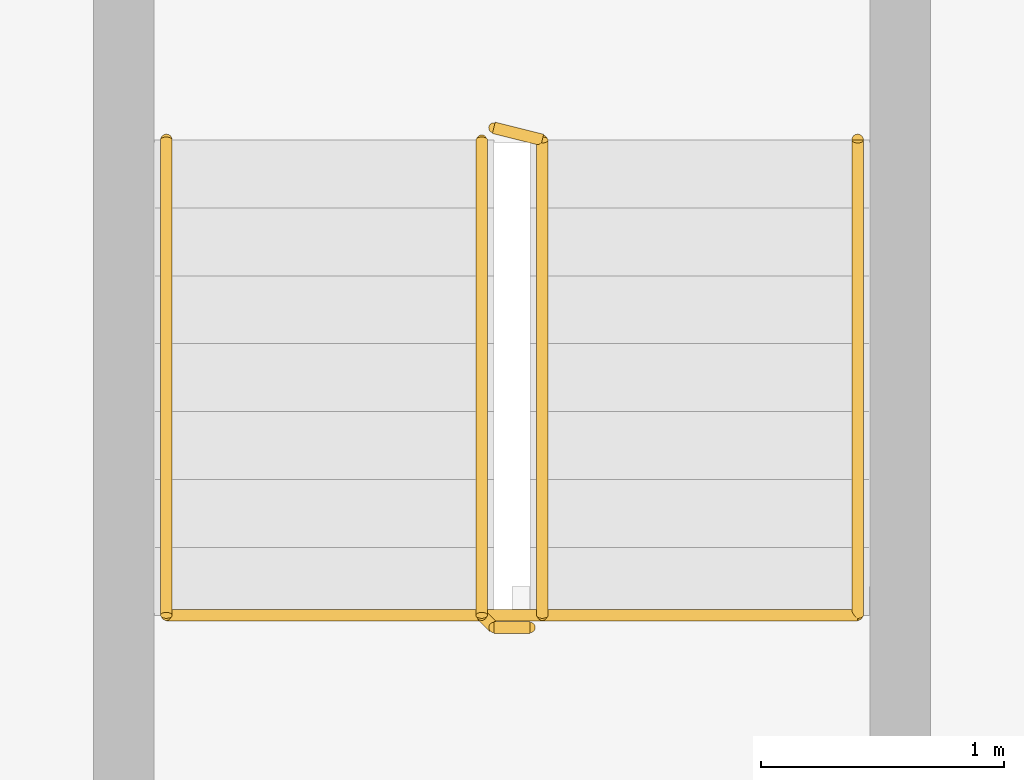
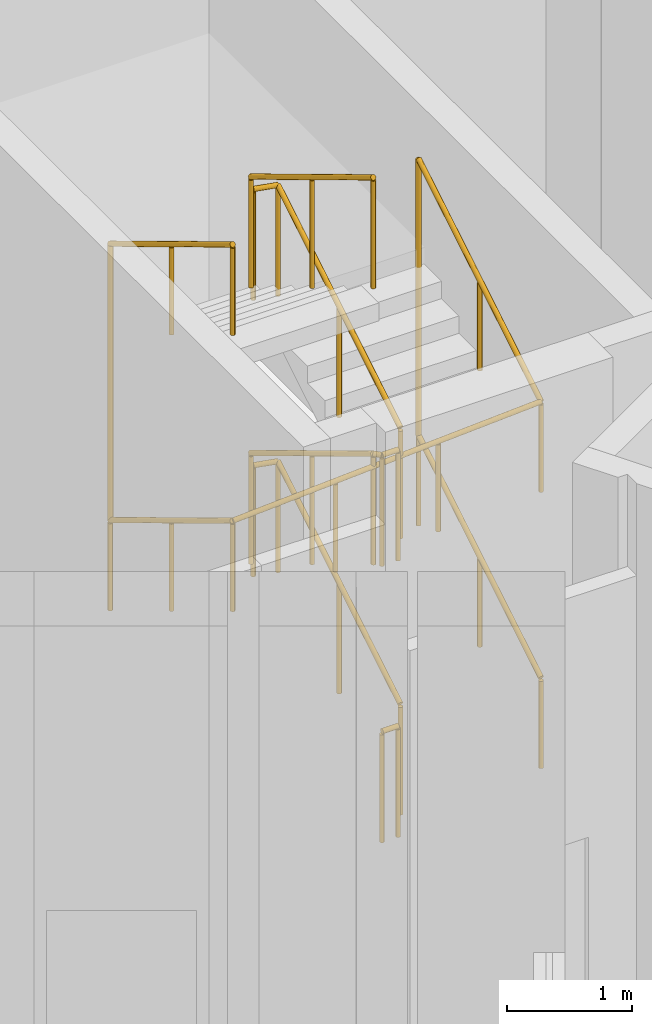
# One storey, part 29 of 35: 6 railings.
"""IFC4 building model written with IfcOpenShell, lengths in metres."""

from ifc_helpers import new_model, si_unit, direction, frame, origin, origin_2d, place, context, subcontext, project, spatial, circle, extrude, material, type_object, element, save


model = new_model("IFC4")

# Units and contexts
model_context = context("Model", 3, precision=1e-05, world=origin(), true_north=direction((0.0, 1.0)))
body_context = subcontext(model_context, "Body", "Model", "MODEL_VIEW")
ifc_project = project(units=[si_unit("LENGTHUNIT", "METRE"), si_unit("AREAUNIT", "SQUARE_METRE"), si_unit("VOLUMEUNIT", "CUBIC_METRE"), si_unit("PLANEANGLEUNIT", "RADIAN"), si_unit("MASSUNIT", "GRAM", prefix="KILO")], contexts=[model_context])

# Site, building, storey
site_placement = place(None, origin())
site = spatial("IfcSite", under=ifc_project, at=site_placement, CompositionType="ELEMENT")
building_placement = place(site_placement, origin())
building = spatial("IfcBuilding", under=site, at=building_placement, Name="Mestral Congress Tower", CompositionType="ELEMENT")
storey_placement = place(building_placement, frame((0.0, 0.0, 6.0)))
storey = spatial("IfcBuildingStorey", under=building, at=storey_placement, Name="L01", CompositionType="ELEMENT", Elevation=6.0)

# Railings
ifc_material_1 = material(Name="Steel balustrade", Category="steel")
railing_type_1 = type_object("IfcRailingType", Name="Stair guard 1100", PredefinedType="GUARDRAIL", material=ifc_material_1)
railing_1_placement = place(storey_placement, frame((0.125, 10.35009765625, 0.168701171875)))
element("IfcRailing", 1, at=railing_1_placement, inside=storey, type_object=railing_type_1, Name="L01 ST2 stair guard 1", PredefinedType="GUARDRAIL", context=body_context, shape_type="SweptSolid", body=[
    extrude(circle(Radius=0.02392578125, at=origin_2d()), frame((0.0, 0.0, 1.076171875), z_axis=(0.0, 0.856446297458, 0.516236127728), x_axis=(-1.0, 0.0, 0.0)), (0.0, 0.0, 1.0), 2.28857421875),
    extrude(circle(Radius=0.02392578125, at=origin_2d()), frame((0.0, 1.9599609375, 2.25732421875), z_axis=(-0.970072785993, 0.242814311512, 0.0), x_axis=(-0.242814311512, -0.970072785993, 0.0)), (0.0, 0.0, 1.0), 0.2060546875),
    extrude(circle(Radius=0.02099609375, at=origin_2d()), origin(), (0.0, 0.0, 1.0), 1.052001953125),
    extrude(circle(Radius=0.02099609375, at=origin_2d()), frame((0.0, 0.97998046875, 0.5908203125)), (0.0, 0.0, 1.0), 1.052001953125),
    extrude(circle(Radius=0.02099609375, at=origin_2d()), frame((0.0, 1.9599609375, 1.181396484375)), (0.0, 0.0, 1.0), 1.052001953125),
    extrude(circle(Radius=0.02099609375, at=origin_2d()), frame((-0.199951171875, 2.010009765625, 1.181396484375)), (0.0, 0.0, 1.0), 1.052001953125),
])
railing_2_placement = place(storey_placement, frame((-0.125, 12.31005859375, 1.518798828125)))
element("IfcRailing", 2, at=railing_2_placement, inside=storey, type_object=railing_type_1, Name="L01 ST2 stair guard 2", PredefinedType="GUARDRAIL", context=body_context, shape_type="SweptSolid", body=[
    extrude(circle(Radius=0.02392578125, at=origin_2d()), frame((0.0, 0.0, 1.076171875), z_axis=(0.0, -0.856493463811, 0.516157869696), x_axis=(1.0, 0.0, 0.0)), (0.0, 0.0, 1.0), 2.288330078125),
    extrude(circle(Radius=0.02392578125, at=origin_2d()), frame((0.0, -1.9599609375, 2.25732421875), z_axis=(0.707106781187, -0.707106781187, 0.0), x_axis=(0.707106781187, 0.707106781187, 0.0)), (0.0, 0.0, 1.0), 0.07080078125),
    extrude(circle(Radius=0.02392578125, at=origin_2d()), frame((0.050048828125, -2.010009765625, 2.25732421875), z_axis=(1.0, 0.0, 0.0), x_axis=(0.0, 1.0, 0.0)), (0.0, 0.0, 1.0), 0.14990234375),
    extrude(circle(Radius=0.02099609375, at=origin_2d()), origin(), (0.0, 0.0, 1.0), 1.052001953125),
    extrude(circle(Radius=0.02099609375, at=origin_2d()), frame((0.0, -0.97998046875, 0.590576171875)), (0.0, 0.0, 1.0), 1.052001953125),
    extrude(circle(Radius=0.02099609375, at=origin_2d()), frame((0.0, -1.9599609375, 1.18115234375)), (0.0, 0.0, 1.0), 1.052001953125),
    extrude(circle(Radius=0.02099609375, at=origin_2d()), frame((0.050048828125, -2.010009765625, 1.18115234375)), (0.0, 0.0, 1.0), 1.052001953125),
    extrude(circle(Radius=0.02099609375, at=origin_2d()), frame((0.199951171875, -2.010009765625, 1.18115234375)), (0.0, 0.0, 1.0), 1.052001953125),
])
railing_3_placement = place(storey_placement, frame((0.125, 10.35009765625, 2.86865234375)))
element("IfcRailing", 3, at=railing_3_placement, inside=storey, type_object=railing_type_1, Name="L01 ST2 stair guard 3", PredefinedType="GUARDRAIL", context=body_context, shape_type="SweptSolid", body=[
    extrude(circle(Radius=0.02392578125, at=origin_2d()), frame((0.0, 0.0, 1.076171875), z_axis=(0.0, 0.856446297458, 0.516236127728), x_axis=(-1.0, 0.0, 0.0)), (0.0, 0.0, 1.0), 2.28857421875),
    extrude(circle(Radius=0.02392578125, at=origin_2d()), frame((0.0, 1.9599609375, 2.25732421875), z_axis=(-0.970072785993, 0.242814311512, 0.0), x_axis=(-0.242814311512, -0.970072785993, 0.0)), (0.0, 0.0, 1.0), 0.2060546875),
    extrude(circle(Radius=0.02099609375, at=origin_2d()), origin(), (0.0, 0.0, 1.0), 1.052001953125),
    extrude(circle(Radius=0.02099609375, at=origin_2d()), frame((0.0, 0.97998046875, 0.5908203125)), (0.0, 0.0, 1.0), 1.052001953125),
    extrude(circle(Radius=0.02099609375, at=origin_2d()), frame((0.0, 1.9599609375, 1.181396484375)), (0.0, 0.0, 1.0), 1.052001953125),
    extrude(circle(Radius=0.02099609375, at=origin_2d()), frame((-0.199951171875, 2.010009765625, 1.181396484375)), (0.0, 0.0, 1.0), 1.052001953125),
])
railing_4_placement = place(storey_placement, frame((-0.125, 12.31005859375, 4.21875)))
element("IfcRailing", 4, at=railing_4_placement, inside=storey, type_object=railing_type_1, Name="L01 ST2 stair guard 4", PredefinedType="GUARDRAIL", context=body_context, shape_type="SweptSolid", body=[
    extrude(circle(Radius=0.02392578125, at=origin_2d()), frame((0.0, 0.0, 1.076171875), z_axis=(0.0, -0.856493463811, 0.516157869696), x_axis=(1.0, 0.0, 0.0)), (0.0, 0.0, 1.0), 2.288330078125),
    extrude(circle(Radius=0.02099609375, at=origin_2d()), origin(), (0.0, 0.0, 1.0), 1.052001953125),
    extrude(circle(Radius=0.02099609375, at=origin_2d()), frame((0.0, -0.97998046875, 0.590576171875)), (0.0, 0.0, 1.0), 1.052001953125),
    extrude(circle(Radius=0.02099609375, at=origin_2d()), frame((0.0, -1.9599609375, 1.18115234375)), (0.0, 0.0, 1.0), 1.052001953125),
])
railing_5_placement = place(storey_placement, frame((0.074951171875, 10.300048828125, 0.0)))
element("IfcRailing", 5, at=railing_5_placement, inside=storey, type_object=railing_type_1, Name="L01 ST2 stair guard 5", PredefinedType="GUARDRAIL", context=body_context, shape_type="SweptSolid", body=[
    extrude(circle(Radius=0.02392578125, at=origin_2d()), frame((0.0, 0.0, 1.076171875), z_axis=(-1.0, 0.0, 0.0), x_axis=(0.0, -1.0, 0.0)), (0.0, 0.0, 1.0), 0.14990234375),
    extrude(circle(Radius=0.02099609375, at=origin_2d()), origin(), (0.0, 0.0, 1.0), 1.052001953125),
    extrude(circle(Radius=0.02099609375, at=origin_2d()), frame((-0.14990234375, 0.0, 0.0)), (0.0, 0.0, 1.0), 1.052001953125),
])
ifc_material_2 = material(Name="Steel handrail", Category="steel")
railing_type_2 = type_object("IfcRailingType", Name="Stair handrail 900", PredefinedType="HANDRAIL", material=ifc_material_2)
railing_6_placement = place(storey_placement, frame((1.425048828125, 10.35009765625, 0.168701171875)))
element("IfcRailing", 6, at=railing_6_placement, inside=storey, type_object=railing_type_2, Name="L01 ST2 stair handrail 1", PredefinedType="HANDRAIL", context=body_context, shape_type="SweptSolid", body=[
    extrude(circle(Radius=0.02392578125, at=origin_2d()), frame((0.0, 0.0, 0.8759765625), z_axis=(0.0, 0.856446297458, 0.516236127728), x_axis=(-1.0, 0.0, 0.0)), (0.0, 0.0, 1.0), 2.28857421875),
    extrude(circle(Radius=0.02392578125, at=origin_2d()), frame((0.0, 1.9599609375, 2.05712890625), z_axis=(0.0, 0.0, 1.0), x_axis=(1.0, 0.0, 0.0)), (0.0, 0.0, 1.0), 2.699951171875),
    extrude(circle(Radius=0.02392578125, at=origin_2d()), frame((0.0, 1.9599609375, 4.75732421875), z_axis=(0.0, -0.856446297458, -0.516236127728), x_axis=(1.0, 0.0, 0.0)), (0.0, 0.0, 1.0), 2.28857421875),
    extrude(circle(Radius=0.02392578125, at=origin_2d()), frame((0.0, 0.0, 3.57568359375), z_axis=(-0.998252780982, 0.0, -0.059087945148), x_axis=(0.0, -1.0, 0.0)), (0.0, 0.0, 1.0), 2.85498046875),
    extrude(circle(Radius=0.02392578125, at=origin_2d()), frame((-2.85009765625, 0.0, 3.4072265625), z_axis=(0.0, 0.856493463811, -0.516157869696), x_axis=(-1.0, 0.0, 0.0)), (0.0, 0.0, 1.0), 2.288330078125),
    extrude(circle(Radius=0.02392578125, at=origin_2d()), frame((-2.85009765625, 1.9599609375, 2.22607421875), z_axis=(0.0, 0.0, 1.0), x_axis=(1.0, 0.0, 0.0)), (0.0, 0.0, 1.0), 2.699951171875),
    extrude(circle(Radius=0.02392578125, at=origin_2d()), frame((-2.85009765625, 1.9599609375, 4.92578125), z_axis=(0.0, -0.856493463811, 0.516157869696), x_axis=(1.0, 0.0, 0.0)), (0.0, 0.0, 1.0), 2.288330078125),
    extrude(circle(Radius=0.02099609375, at=origin_2d()), origin(), (0.0, 0.0, 1.0), 0.851806640625),
    extrude(circle(Radius=0.02099609375, at=origin_2d()), frame((0.0, 0.97998046875, 0.5908203125)), (0.0, 0.0, 1.0), 0.851806640625),
    extrude(circle(Radius=0.02099609375, at=origin_2d()), frame((0.0, 1.9599609375, 1.181396484375)), (0.0, 0.0, 1.0), 0.851806640625),
    extrude(circle(Radius=0.02099609375, at=origin_2d()), frame((0.0, 1.9599609375, 2.081298828125)), (0.0, 0.0, 1.0), 0.851806640625),
    extrude(circle(Radius=0.02099609375, at=origin_2d()), frame((0.0, 1.9599609375, 2.9814453125)), (0.0, 0.0, 1.0), 0.851806640625),
    extrude(circle(Radius=0.02099609375, at=origin_2d()), frame((0.0, 1.9599609375, 3.88134765625)), (0.0, 0.0, 1.0), 0.851806640625),
    extrude(circle(Radius=0.02099609375, at=origin_2d()), frame((0.0, 0.97998046875, 3.29052734375)), (0.0, 0.0, 1.0), 0.851806640625),
    extrude(circle(Radius=0.02099609375, at=origin_2d()), frame((0.0, 0.0, 2.699951171875)), (0.0, 0.0, 1.0), 0.851806640625),
    extrude(circle(Radius=0.02099609375, at=origin_2d()), frame((-0.949951171875, 0.0, 2.643798828125)), (0.0, 0.0, 1.0), 0.851806640625),
    extrude(circle(Radius=0.02099609375, at=origin_2d()), frame((-1.900146484375, 0.0, 2.58740234375)), (0.0, 0.0, 1.0), 0.851806640625),
    extrude(circle(Radius=0.02099609375, at=origin_2d()), frame((-2.85009765625, 0.0, 2.53125)), (0.0, 0.0, 1.0), 0.851806640625),
    extrude(circle(Radius=0.02099609375, at=origin_2d()), frame((-2.85009765625, 0.97998046875, 1.940673828125)), (0.0, 0.0, 1.0), 0.851806640625),
    extrude(circle(Radius=0.02099609375, at=origin_2d()), frame((-2.85009765625, 1.9599609375, 1.35009765625)), (0.0, 0.0, 1.0), 0.851806640625),
    extrude(circle(Radius=0.02099609375, at=origin_2d()), frame((-2.85009765625, 1.9599609375, 2.25)), (0.0, 0.0, 1.0), 0.851806640625),
    extrude(circle(Radius=0.02099609375, at=origin_2d()), frame((-2.85009765625, 1.9599609375, 3.150146484375)), (0.0, 0.0, 1.0), 0.851806640625),
    extrude(circle(Radius=0.02099609375, at=origin_2d()), frame((-2.85009765625, 1.9599609375, 4.050048828125)), (0.0, 0.0, 1.0), 0.851806640625),
    extrude(circle(Radius=0.02099609375, at=origin_2d()), frame((-2.85009765625, 0.97998046875, 4.640625)), (0.0, 0.0, 1.0), 0.851806640625),
    extrude(circle(Radius=0.02099609375, at=origin_2d()), frame((-2.85009765625, 0.0, 5.231201171875)), (0.0, 0.0, 1.0), 0.851806640625),
])

save(model, "model.ifc")
